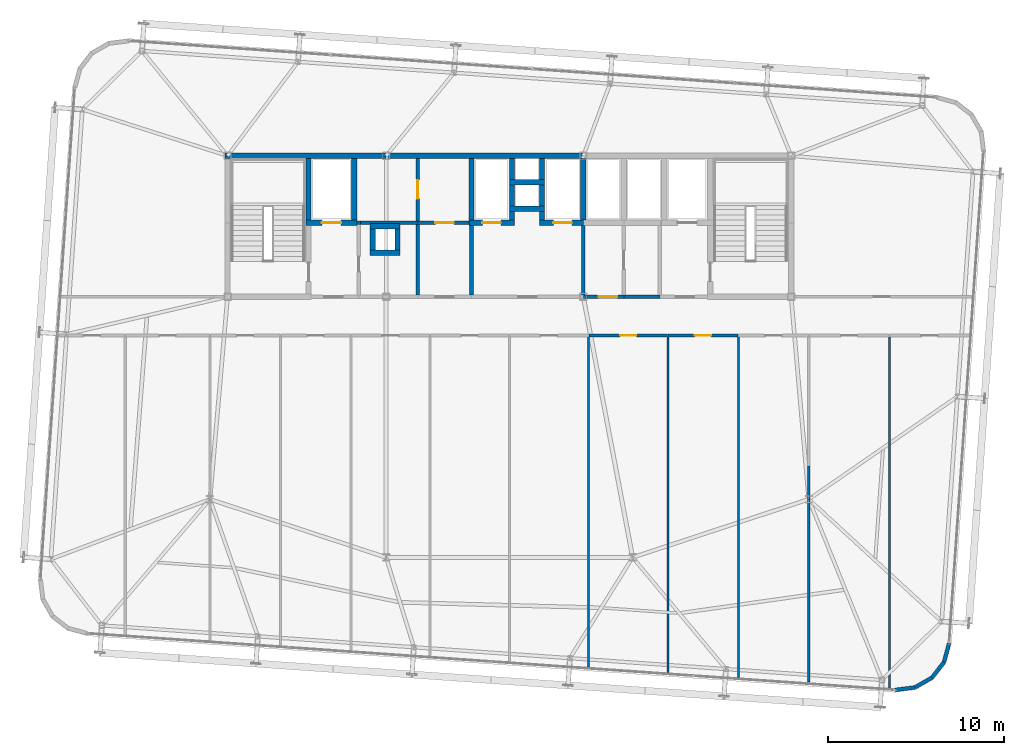
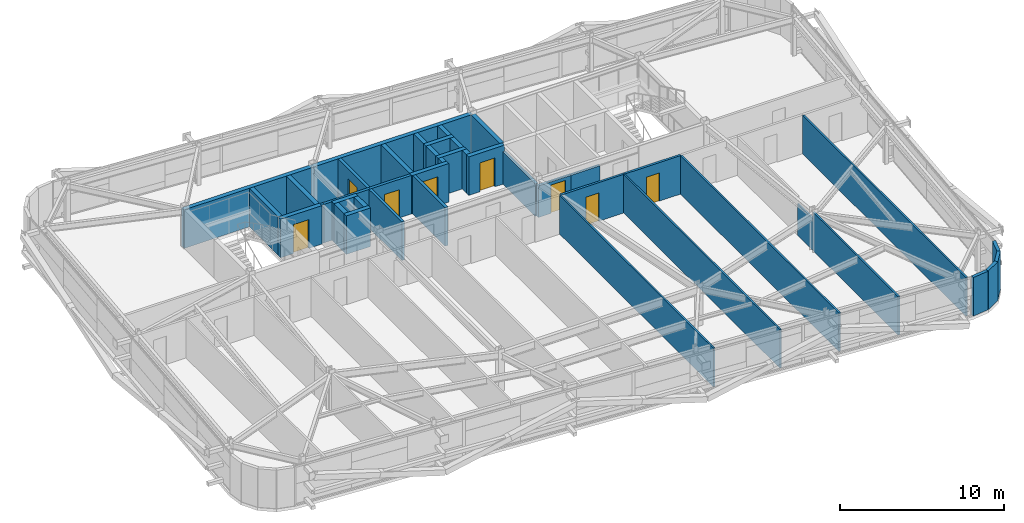
# One storey, part 36 of 39: 42 walls, 8 doors, 8 openings.
"""IFC4 building model written with IfcOpenShell, lengths in metres."""

import ifcopenshell
import ifcopenshell.guid

model = None  # the IFC model being written
_history = None  # IfcOwnerHistory: only IFC2X3 demands one
_inside = {}  # id of a spatial element -> (the spatial element, [elements in it])
_under = {}  # id of a project, library or spatial element -> (it, [spatial elements below it])
_declared = {}  # id of a project -> (the project, [libraries it declares])
_typed = {}  # id of a type object -> (the type object, [elements of that type])
_made_of = {}  # id of a material, layer set ... -> (it, [elements and type objects made of it])


def new_model(schema):
    """Start an empty IFC model of exactly this schema.

    Asked for "IFC4X3", IfcOpenShell would pick the latest addendum, in which some entities
    have other attributes; the version numbers below select the first issue.
    IFC2X3 requires an IfcOwnerHistory on every rooted entity: one is made here for all.
    """
    global model, _history
    if schema == "IFC4X3":
        model = ifcopenshell.file(schema_version=(4, 3, 0, 0))
    else:
        model = ifcopenshell.file(schema=schema)
    _inside.clear()
    _under.clear()
    _declared.clear()
    _typed.clear()
    _made_of.clear()
    _history = None
    if model.schema == "IFC2X3":
        org = make("IfcOrganization", Name="unknown")
        user = make(
            "IfcPersonAndOrganization",
            ThePerson=make("IfcPerson", FamilyName="unknown"),
            TheOrganization=org,
        )
        app = make(
            "IfcApplication",
            ApplicationDeveloper=org,
            Version="unknown",
            ApplicationFullName="unknown",
            ApplicationIdentifier="unknown",
        )
        _history = make(
            "IfcOwnerHistory",
            OwningUser=user,
            OwningApplication=app,
            ChangeAction="ADDED",
            CreationDate=0,
        )
    return model


def make(cls, **values):
    """One entity of the class cls with the attributes given. An attribute that is None is left unset."""
    return model.create_entity(
        cls, **{name: value for name, value in values.items() if value is not None}
    )


def rooted(cls, **values):
    """An entity with a GlobalId (a new one), such as an element, a storey or a relation."""
    return make(cls, GlobalId=ifcopenshell.guid.new(), OwnerHistory=_history, **values)


def si_unit(unit_type, name, prefix=None):
    """IfcSIUnit, for example si_unit("LENGTHUNIT", "METRE", prefix="MILLI")."""
    return make("IfcSIUnit", UnitType=unit_type, Prefix=prefix, Name=name)


def assignment(units):
    """IfcUnitAssignment: the units of a project."""
    return None if units is None else make("IfcUnitAssignment", Units=units)


def point(xyz):
    """IfcCartesianPoint."""
    return None if xyz is None else make("IfcCartesianPoint", Coordinates=xyz)


def direction(xyz):
    """IfcDirection."""
    return None if xyz is None else make("IfcDirection", DirectionRatios=xyz)


def frame(location, z_axis=None, x_axis=None):
    """IfcAxis2Placement3D, a coordinate frame: its origin and axes. An axis left out is left unset."""
    return make(
        "IfcAxis2Placement3D",
        Location=point(location),
        Axis=direction(z_axis),
        RefDirection=direction(x_axis),
    )


def frame_2d(location, x_axis=None):
    """IfcAxis2Placement2D, a coordinate frame in the plane: its origin and x axis."""
    return make(
        "IfcAxis2Placement2D", Location=point(location), RefDirection=direction(x_axis)
    )


def origin():
    """The frame at (0, 0, 0) with its axes left unset."""
    return frame((0.0, 0.0, 0.0))


def place(relative_to, where):
    """IfcLocalPlacement: puts the frame where relative to a parent placement (None: the world)."""
    return make(
        "IfcLocalPlacement", PlacementRelTo=relative_to, RelativePlacement=where
    )


def context(
    kind, dimensions, precision=None, world=None, true_north=None, identifier=None
):
    """IfcGeometricRepresentationContext, for example the 3D "Model" context."""
    return make(
        "IfcGeometricRepresentationContext",
        ContextIdentifier=identifier,
        ContextType=kind,
        CoordinateSpaceDimension=dimensions,
        Precision=precision,
        WorldCoordinateSystem=world,
        TrueNorth=true_north,
    )


def subcontext(parent, identifier, kind, view, scale=None):
    """IfcGeometricRepresentationSubContext, for example "Body" below "Model"."""
    return make(
        "IfcGeometricRepresentationSubContext",
        ContextIdentifier=identifier,
        ContextType=kind,
        ParentContext=parent,
        TargetScale=scale,
        TargetView=view,
    )


def project(units=None, contexts=None):
    """IfcProject with its units and contexts."""
    return rooted(
        "IfcProject",
        Name="project",
        RepresentationContexts=contexts,
        UnitsInContext=assignment(units),
    )


def spatial(cls, under=None, at=None, **own):
    """A site, building, storey or space (cls), placed at a placement, below another one or the project."""
    s = rooted(cls, ObjectPlacement=at, **own)
    if under is not None:
        _under.setdefault(under.id(), (under, []))[1].append(s)
    return s


def profile(cls, at=None, kind="AREA", **sizes):
    """A parametric profile (cls). Its sizes go by their IFC names, for example OverallWidth=200.0."""
    return make(cls, ProfileType=kind, Position=at, **sizes)


def rectangle(**sizes):
    """IfcRectangleProfileDef."""
    return profile("IfcRectangleProfileDef", **sizes)


def extrude(swept, where, along, depth):
    """IfcExtrudedAreaSolid: the profile swept, set in the frame where, extruded along a direction by depth."""
    return make(
        "IfcExtrudedAreaSolid",
        SweptArea=swept,
        Position=where,
        ExtrudedDirection=direction(along),
        Depth=depth,
    )


def shape(context_of_items, identifier, shape_type, items):
    """IfcShapeRepresentation: the items that make up one representation, for example the "Body"."""
    return make(
        "IfcShapeRepresentation",
        ContextOfItems=context_of_items,
        RepresentationIdentifier=identifier,
        RepresentationType=shape_type,
        Items=items,
    )


def source(mapping_origin, context_of_items, identifier, shape_type, items):
    """IfcRepresentationMap: a shape defined once, which mapped items show again and again."""
    return make(
        "IfcRepresentationMap",
        MappingOrigin=mapping_origin,
        MappedRepresentation=shape(context_of_items, identifier, shape_type, items),
    )


def transform(
    local_origin,
    x_axis=None,
    y_axis=None,
    z_axis=None,
    scale=None,
    scale2=None,
    scale3=None,
    uniform=True,
):
    """IfcCartesianTransformationOperator3D, or its non-uniform kind. x_axis, y_axis, z_axis: its Axis1, 2, 3."""
    if uniform:
        return make(
            "IfcCartesianTransformationOperator3D",
            Axis1=direction(x_axis),
            Axis2=direction(y_axis),
            LocalOrigin=point(local_origin),
            Scale=scale,
            Axis3=direction(z_axis),
        )
    return make(
        "IfcCartesianTransformationOperator3DnonUniform",
        Axis1=direction(x_axis),
        Axis2=direction(y_axis),
        LocalOrigin=point(local_origin),
        Scale=scale,
        Axis3=direction(z_axis),
        Scale2=scale2,
        Scale3=scale3,
    )


def mapped(mapping_source, mapping_target):
    """IfcMappedItem: shows the shape of a source again, moved by a transform."""
    return make(
        "IfcMappedItem", MappingSource=mapping_source, MappingTarget=mapping_target
    )


def material(Name=None, Category=None):
    """IfcMaterial."""
    return make("IfcMaterial", Name=Name, Category=Category)


def layer(
    of_material, thickness, ventilated=None, Name=None, Category=None, Priority=None
):
    """IfcMaterialLayer: one layer of a wall or slab, of a material (None: an air gap)."""
    return make(
        "IfcMaterialLayer",
        Material=of_material,
        LayerThickness=thickness,
        IsVentilated=ventilated,
        Name=Name,
        Category=Category,
        Priority=Priority,
    )


def layer_set(layers, Name=None):
    """IfcMaterialLayerSet."""
    return make("IfcMaterialLayerSet", MaterialLayers=layers, LayerSetName=Name)


def made_of(thing, what):
    """Note that an element or type object is made of a material, layer set ...; save() writes the relation."""
    if what is not None:
        _made_of.setdefault(what.id(), (what, []))[1].append(thing)
    return thing


def type_object(cls, material=None, **own):
    """A type object (cls), such as IfcWallType, which elements share."""
    return made_of(rooted(cls, **own), material)


def element(
    cls,
    number,
    at=None,
    inside=None,
    cuts=None,
    type_object=None,
    material=None,
    context=None,
    identifier="Body",
    shape_type=None,
    held_by="IfcProductDefinitionShape",
    body=None,
    shapes=None,
    **own,
):
    """One element of the class cls, such as IfcWall. Its Tag is "e" and its number.

    at: its placement. inside: the storey or other place that contains it. cuts: it is an
    opening in that element (IfcRelVoidsElement). A single representation is given by context,
    identifier, shape_type and body (its items); several are given by shapes. held_by: the class
    of the entity that holds the representations. save() writes the other relations.
    """
    e = rooted(cls, Tag="e%d" % number, ObjectPlacement=at, **own)
    if body is not None:
        shapes = [shape(context, identifier, shape_type, body)]
    if shapes is not None:
        e.Representation = make(held_by, Representations=shapes)
    if inside is not None:
        _inside.setdefault(inside.id(), (inside, []))[1].append(e)
    if cuts is not None:
        rooted(
            "IfcRelVoidsElement", RelatingBuildingElement=cuts, RelatedOpeningElement=e
        )
    if type_object is not None:
        _typed.setdefault(type_object.id(), (type_object, []))[1].append(e)
    return made_of(e, material)


def fill(opening, filler):
    """IfcRelFillsElement: the door or window that sits in an opening."""
    return rooted(
        "IfcRelFillsElement",
        RelatingOpeningElement=opening,
        RelatedBuildingElement=filler,
    )


def aggregate(whole, parts):
    """IfcRelAggregates: a whole, such as a stair, and the parts it consists of."""
    return rooted("IfcRelAggregates", RelatingObject=whole, RelatedObjects=parts)


def save(model, path):
    """Write the relations noted so far, then the file.

    IfcRelAggregates (storeys below a building ...), IfcRelContainedInSpatialStructure (elements
    in a storey), IfcRelDefinesByType, IfcRelAssociatesMaterial and IfcRelDeclares: one each for
    every whole, place, type object, material and project.
    """
    for whole, parts in _under.values():
        aggregate(whole, parts)
    for where, things in _inside.values():
        rooted(
            "IfcRelContainedInSpatialStructure",
            RelatedElements=things,
            RelatingStructure=where,
        )
    for kind, things in _typed.values():
        rooted("IfcRelDefinesByType", RelatedObjects=things, RelatingType=kind)
    for what, things in _made_of.values():
        rooted("IfcRelAssociatesMaterial", RelatedObjects=things, RelatingMaterial=what)
    for by, libraries in _declared.values():
        rooted("IfcRelDeclares", RelatingContext=by, RelatedDefinitions=libraries)
    model.write(path)


model = new_model("IFC4")

# Units and contexts
model_context = context("Model", 3, precision=1e-05, world=origin(), true_north=direction((0.0, 1.0)))
body_context = subcontext(model_context, "Body", "Model", "MODEL_VIEW")
ifc_project = project(units=[si_unit("LENGTHUNIT", "METRE"), si_unit("AREAUNIT", "SQUARE_METRE"), si_unit("VOLUMEUNIT", "CUBIC_METRE"), si_unit("PLANEANGLEUNIT", "RADIAN"), si_unit("MASSUNIT", "GRAM", prefix="KILO")], contexts=[model_context])

# Site, building, storey
site_placement = place(None, origin())
site = spatial("IfcSite", under=ifc_project, at=site_placement, CompositionType="ELEMENT")
building_placement = place(site_placement, origin())
building = spatial("IfcBuilding", under=site, at=building_placement, Name="Taldren Reach Tower", CompositionType="ELEMENT")
storey_placement = place(building_placement, frame((0.0, 0.0, 161.35009765625)))
storey = spatial("IfcBuildingStorey", under=building, at=storey_placement, Name="L49", CompositionType="ELEMENT", Elevation=161.35009765625)

# Walls
ifc_material_1 = material(Name="Pale Champagne Anodised Aluminium Cladding", Category="aluminium")
ifc_layer_1 = layer(ifc_material_1, 0.04, Name="Pale Champagne Anodised Aluminium Cladding", Category="aluminium")
ifc_material_2 = material(Name="Mineral Wool Acoustic Insulation", Category="insulation")
ifc_layer_2 = layer(ifc_material_2, 0.06, Name="Mineral Wool Acoustic Insulation", Category="insulation")
ifc_material_3 = material(Name="Steel Gr 350 (C350L0)", Category="steel")
ifc_layer_3 = layer(ifc_material_3, 0.12, Name="Steel Gr 350 (C350L0)", Category="steel")
ifc_layer_set_1 = layer_set([ifc_layer_1, ifc_layer_2, ifc_layer_3], Name="Pale Champagne Aluminium Cladding and Steel Gr 350 Stud Framing")
wall_type_1 = type_object("IfcWallType", Name="EW-CRN-220", PredefinedType="SOLIDWALL", material=ifc_layer_set_1)
shared_shape_1 = source(origin(), body_context, "Body", "SweptSolid", [
    extrude(rectangle(XDim=1.11572265625, YDim=0.219970703125, at=frame_2d((0.557861328125, 0.0))), origin(), (0.0, 0.0, 1.0), 2.869873046875),
])
wall_1_placement = place(storey_placement, frame((56.91796875, 1.6767578125, 0.0), z_axis=(0.0, 0.0, 1.0), x_axis=(0.99202678349, 0.126027222605, 0.0)))
element("IfcWall", 1, at=wall_1_placement, inside=storey, type_object=wall_type_1, Name="Rounded-corner pale-metal facade wall L49-SE1", PredefinedType="SOLIDWALL", context=body_context, shape_type="MappedRepresentation", body=[
    mapped(shared_shape_1, transform((0.0, 0.0, 0.0), scale=1.0)),
])
shared_shape_2 = source(origin(), body_context, "Body", "SweptSolid", [
    extrude(rectangle(XDim=1.115966796875, YDim=0.219970703125, at=frame_2d((0.55810546875, 0.0))), origin(), (0.0, 0.0, 1.0), 2.869873046875),
])
for number, where, z_axis, x_axis, name in (
    (2, (58.02490234375, 1.8173828125, 0.0), (0.0, 0.0, 1.0), (0.868095010314, 0.496398079235, 0.0), "Rounded-corner pale-metal facade wall L49-SE2"),
    (3, (58.99365234375, 2.371337890625, 0.0), (0.0, 0.0, 1.0), (0.612318787668, 0.790610967714, 0.0), "Rounded-corner pale-metal facade wall L49-SE3"),
    (4, (59.677001953125, 3.253662109375, 0.0), (0.0, 0.0, 1.0), (0.262969307856, 0.964804199372, 0.0), "Rounded-corner pale-metal facade wall L49-SE4"),
):
    element("IfcWall", number, at=place(storey_placement, frame(where, z_axis=z_axis, x_axis=x_axis)), inside=storey, type_object=wall_type_1, Name=name, PredefinedType="SOLIDWALL", context=body_context, shape_type="MappedRepresentation", body=[
        mapped(shared_shape_2, transform((0.0, 0.0, 0.0), scale=1.0)),
    ])
ifc_material_4 = material(Name="Concrete S65 (65 MPa)", Category="concrete")
ifc_layer_4 = layer(ifc_material_4, 0.300048828125)
ifc_layer_set_2 = layer_set([ifc_layer_4], Name="Concrete S65 (65 MPa)")
wall_type_2 = type_object("IfcWallType", Name="IW-CORE-300", PredefinedType="SHEAR", material=ifc_layer_set_2)
shared_shape_3 = source(origin(), body_context, "Body", "SweptSolid", [
    extrude(rectangle(XDim=9.14990234375, YDim=0.300048828125, at=frame_2d((4.574951171875, 0.0))), origin(), (0.0, 0.0, 1.0), 2.869873046875),
])
wall_2_placement = place(storey_placement, frame((18.85009765625, 32.0, 0.0), z_axis=(0.0, 0.0, 1.0), x_axis=(1.0, 0.0, 0.0)))
element("IfcWall", 5, at=wall_2_placement, inside=storey, type_object=wall_type_2, Name="Rear Core Shear Wall W-CORE-L49-NORTH1", PredefinedType="SHEAR", context=body_context, shape_type="MappedRepresentation", body=[
    mapped(shared_shape_3, transform((0.0, 0.0, 0.0), scale=1.0)),
])
shared_shape_4 = source(origin(), body_context, "Body", "SweptSolid", [
    extrude(rectangle(XDim=11.199951171875, YDim=0.300048828125, at=frame_2d((5.60009765625, 0.0))), origin(), (0.0, 0.0, 1.0), 2.869873046875),
])
wall_3_placement = place(storey_placement, frame((28.0, 32.0, 0.0), z_axis=(0.0, 0.0, 1.0), x_axis=(1.0, 0.0, 0.0)))
element("IfcWall", 6, at=wall_3_placement, inside=storey, type_object=wall_type_2, Name="Rear Core Shear Wall W-CORE-L49-NORTH2", PredefinedType="SHEAR", context=body_context, shape_type="MappedRepresentation", body=[
    mapped(shared_shape_4, transform((0.0, 0.0, 0.0), scale=1.0)),
])
shared_shape_5 = source(origin(), body_context, "Body", "SweptSolid", [
    extrude(rectangle(XDim=3.5, YDim=0.300048828125, at=frame_2d((1.75, 0.0))), origin(), (0.0, 0.0, 1.0), 2.869873046875),
])
for number, where, z_axis, x_axis, name in (
    (7, (23.60009765625, 28.35009765625, 0.0), (0.0, 0.0, 1.0), (0.0, 1.0, 0.0), "Rear Core Shear Wall W-INT-L49-001"),
    (8, (26.199951171875, 28.35009765625, 0.0), (0.0, 0.0, 1.0), (0.0, 1.0, 0.0), "Rear Core Shear Wall W-INT-L49-005"),
    (9, (32.85009765625, 31.85009765625, 0.0), (0.0, 0.0, 1.0), (0.0, -1.0, 0.0), "Rear Core Shear Wall W-INT-L49-027"),
    (10, (39.199951171875, 28.35009765625, 0.0), (0.0, 0.0, 1.0), (0.0, 1.0, 0.0), "Rear Core Shear Wall W-INT-L49-030"),
):
    element("IfcWall", number, at=place(storey_placement, frame(where, z_axis=z_axis, x_axis=x_axis)), inside=storey, type_object=wall_type_2, Name=name, PredefinedType="SHEAR", context=body_context, shape_type="MappedRepresentation", body=[
        mapped(shared_shape_5, transform((0.0, 0.0, 0.0), scale=1.0)),
    ])

# Wall, opening, door
shared_shape_6 = source(origin(), body_context, "Body", "SweptSolid", [
    extrude(rectangle(XDim=2.900146484375, YDim=0.300048828125, at=frame_2d((1.4501953125, 0.0))), origin(), (0.0, 0.0, 1.0), 2.869873046875),
])
wall_4_placement = place(storey_placement, frame((23.449951171875, 28.199951171875, 0.0), z_axis=(0.0, 0.0, 1.0), x_axis=(1.0, 0.0, 0.0)))
wall_4 = element("IfcWall", 11, at=wall_4_placement, inside=storey, type_object=wall_type_2, Name="Rear Core Shear Wall W-INT-L49-004", PredefinedType="SHEAR", context=body_context, shape_type="MappedRepresentation", body=[
    mapped(shared_shape_6, transform((0.0, 0.0, 0.0), scale=1.0)),
])
shared_shape_7 = source(origin(), body_context, "Body", "SweptSolid", [
    extrude(rectangle(XDim=1.10009765625, YDim=2.14990234375, at=frame_2d((0.550048828125, 1.074951171875))), frame((0.0, 0.16015625, 0.0), z_axis=(0.0, -1.0, 0.0), x_axis=(1.0, 0.0, 0.0)), (0.0, 0.0, 1.0), 0.320068359375),
])
opening_1_placement = place(wall_4_placement, frame((0.89990234375, 0.0, 0.0)))
opening_1 = element("IfcOpeningElement", 12, at=opening_1_placement, cuts=wall_4, Name="Opening LD-FL1", PredefinedType="OPENING", context=body_context, shape_type="MappedRepresentation", body=[
    mapped(shared_shape_7, transform((0.0, 0.0, 0.0), scale=1.0)),
])
ifc_material_5 = material(Name="Stainless Steel Gr 316 Emergency Lift Landing Door", Category="steel")
door_type_1 = type_object("IfcDoorType", Name="LD-EMG-110", OperationType="SLIDING_TO_LEFT", PredefinedType="DOOR", material=ifc_material_5)
shared_shape_8 = source(origin(), body_context, "Body", "SweptSolid", [
    extrude(rectangle(XDim=1.10009765625, YDim=2.14990234375, at=frame_2d((0.550048828125, 1.074951171875))), frame((0.0, 0.02490234375, 0.0), z_axis=(0.0, -1.0, 0.0), x_axis=(1.0, 0.0, 0.0)), (0.0, 0.0, 1.0), 0.050048828125),
])
door_1_placement = place(opening_1_placement, origin())
door_1 = element("IfcDoor", 13, at=door_1_placement, inside=storey, type_object=door_type_1, Name="Lift Landing Door LD-FL1-L49", OperationType="SLIDING_TO_LEFT", OverallHeight=2.14990234375, OverallWidth=1.10009765625, PredefinedType="DOOR", context=body_context, shape_type="MappedRepresentation", body=[
    mapped(shared_shape_8, transform((0.0, 0.0, 0.0), scale=1.0)),
])
fill(opening_1, door_1)

# Walls
ifc_material_6 = material(Name="Concrete S50 (50 MPa)", Category="concrete")
ifc_layer_5 = layer(ifc_material_6, 0.199951171875)
ifc_layer_set_3 = layer_set([ifc_layer_5], Name="Concrete S50 (50 MPa)")
wall_type_3 = type_object("IfcWallType", Name="IW-CORE-200", PredefinedType="SOLIDWALL", material=ifc_layer_set_3)
shared_shape_9 = source(origin(), body_context, "Body", "SweptSolid", [
    extrude(rectangle(XDim=4.0, YDim=0.199951171875, at=frame_2d((2.0, 0.0))), origin(), (0.0, 0.0, 1.0), 2.869873046875),
])
wall_5_placement = place(storey_placement, frame((29.800048828125, 28.10009765625, 0.0), z_axis=(0.0, 0.0, 1.0), x_axis=(0.0, -1.0, 0.0)))
element("IfcWall", 14, at=wall_5_placement, inside=storey, type_object=wall_type_3, Name="Rear Core Shear Wall W-INT-L49-037", PredefinedType="SOLIDWALL", context=body_context, shape_type="MappedRepresentation", body=[
    mapped(shared_shape_9, transform((0.0, 0.0, 0.0), scale=1.0)),
])
shared_shape_10 = source(origin(), body_context, "Body", "SweptSolid", [
    extrude(rectangle(XDim=3.949951171875, YDim=0.199951171875, at=frame_2d((1.97509765625, 0.0))), origin(), (0.0, 0.0, 1.0), 2.869873046875),
])
wall_6_placement = place(storey_placement, frame((32.85009765625, 24.10009765625, 0.0), z_axis=(0.0, 0.0, 1.0), x_axis=(0.0, 1.0, 0.0)))
element("IfcWall", 15, at=wall_6_placement, inside=storey, type_object=wall_type_3, Name="Rear Core Shear Wall W-INT-L49-031", PredefinedType="SOLIDWALL", context=body_context, shape_type="MappedRepresentation", body=[
    mapped(shared_shape_10, transform((0.0, 0.0, 0.0), scale=1.0)),
])
shared_shape_11 = source(origin(), body_context, "Body", "SweptSolid", [
    extrude(rectangle(XDim=2.0, YDim=0.300048828125, at=frame_2d((1.0, 0.0))), origin(), (0.0, 0.0, 1.0), 2.869873046875),
])
for number, where, z_axis, x_axis, name in (
    (16, (35.0, 30.5, 0.0), (0.0, 0.0, 1.0), (1.0, 0.0, 0.0), "Rear Core Shear Wall W-INT-L49-015"),
    (17, (35.0, 29.0, 0.0), (0.0, 0.0, 1.0), (1.0, 0.0, 0.0), "Rear Core Shear Wall W-INT-L49-020"),
):
    element("IfcWall", number, at=place(storey_placement, frame(where, z_axis=z_axis, x_axis=x_axis)), inside=storey, type_object=wall_type_2, Name=name, PredefinedType="SHEAR", context=body_context, shape_type="MappedRepresentation", body=[
        mapped(shared_shape_11, transform((0.0, 0.0, 0.0), scale=1.0)),
    ])
shared_shape_12 = source(origin(), body_context, "Body", "SweptSolid", [
    extrude(rectangle(XDim=1.2001953125, YDim=0.300048828125, at=frame_2d((0.60009765625, 0.0))), origin(), (0.0, 0.0, 1.0), 2.869873046875),
])
for number, where, z_axis, x_axis, name in (
    (18, (35.14990234375, 31.85009765625, 0.0), (0.0, 0.0, 1.0), (0.0, -1.0, 0.0), "Rear Core Shear Wall W-INT-L49-016"),
    (19, (36.85009765625, 30.64990234375, 0.0), (0.0, 0.0, 1.0), (0.0, 1.0, 0.0), "Rear Core Shear Wall W-INT-L49-017"),
    (20, (35.14990234375, 30.35009765625, 0.0), (0.0, 0.0, 1.0), (0.0, -1.0, 0.0), "Rear Core Shear Wall W-INT-L49-018"),
    (21, (36.85009765625, 29.14990234375, 0.0), (0.0, 0.0, 1.0), (0.0, 1.0, 0.0), "Rear Core Shear Wall W-INT-L49-019"),
    (22, (28.64990234375, 26.64990234375, 0.0), (0.0, 0.0, 1.0), (0.0, 1.0, 0.0), "Rear Core Shear Wall W-INT-L49-021"),
    (23, (27.25, 27.85009765625, 0.0), (0.0, 0.0, 1.0), (0.0, -1.0, 0.0), "Rear Core Shear Wall W-INT-L49-022"),
):
    element("IfcWall", number, at=place(storey_placement, frame(where, z_axis=z_axis, x_axis=x_axis)), inside=storey, type_object=wall_type_2, Name=name, PredefinedType="SHEAR", context=body_context, shape_type="MappedRepresentation", body=[
        mapped(shared_shape_12, transform((0.0, 0.0, 0.0), scale=1.0)),
    ])
shared_shape_13 = source(origin(), body_context, "Body", "SweptSolid", [
    extrude(rectangle(XDim=1.699951171875, YDim=0.300048828125, at=frame_2d((0.85009765625, 0.0))), origin(), (0.0, 0.0, 1.0), 2.869873046875),
])
for number, where, z_axis, x_axis, name in (
    (24, (28.800048828125, 28.0, 0.0), (0.0, 0.0, 1.0), (-1.0, 0.0, 0.0), "Rear Core Shear Wall W-INT-L49-023"),
    (25, (27.10009765625, 26.5, 0.0), (0.0, 0.0, 1.0), (1.0, 0.0, 0.0), "Rear Core Shear Wall W-INT-L49-024"),
):
    element("IfcWall", number, at=place(storey_placement, frame(where, z_axis=z_axis, x_axis=x_axis)), inside=storey, type_object=wall_type_2, Name=name, PredefinedType="SHEAR", context=body_context, shape_type="MappedRepresentation", body=[
        mapped(shared_shape_13, transform((0.0, 0.0, 0.0), scale=1.0)),
    ])

# Wall, opening, door
shared_shape_14 = source(origin(), body_context, "Body", "SweptSolid", [
    extrude(rectangle(XDim=2.60009765625, YDim=0.300048828125, at=frame_2d((1.300048828125, 0.0))), origin(), (0.0, 0.0, 1.0), 2.869873046875),
])
wall_7_placement = place(storey_placement, frame((32.699951171875, 28.199951171875, 0.0), z_axis=(0.0, 0.0, 1.0), x_axis=(1.0, 0.0, 0.0)))
wall_7 = element("IfcWall", 26, at=wall_7_placement, inside=storey, type_object=wall_type_2, Name="Rear Core Shear Wall W-INT-L49-025", PredefinedType="SHEAR", context=body_context, shape_type="MappedRepresentation", body=[
    mapped(shared_shape_14, transform((0.0, 0.0, 0.0), scale=1.0)),
])
shared_shape_15 = source(origin(), body_context, "Body", "SweptSolid", [
    extrude(rectangle(XDim=1.050048828125, YDim=2.14990234375, at=frame_2d((0.52490234375, 1.074951171875))), frame((0.0, 0.16015625, 0.0), z_axis=(0.0, -1.0, 0.0), x_axis=(1.0, 0.0, 0.0)), (0.0, 0.0, 1.0), 0.320068359375),
])
opening_2_placement = place(wall_7_placement, frame((0.77490234375, 0.0, 0.0)))
opening_2 = element("IfcOpeningElement", 27, at=opening_2_placement, cuts=wall_7, Name="Opening LD-PM1", PredefinedType="OPENING", context=body_context, shape_type="MappedRepresentation", body=[
    mapped(shared_shape_15, transform((0.0, 0.0, 0.0), scale=1.0)),
])
ifc_material_7 = material(Name="Stainless Steel Gr 316 Passenger Lift Landing Door", Category="steel")
door_type_2 = type_object("IfcDoorType", Name="LD-PAS-105", OperationType="SLIDING_TO_LEFT", PredefinedType="DOOR", material=ifc_material_7)
shared_shape_16 = source(origin(), body_context, "Body", "SweptSolid", [
    extrude(rectangle(XDim=1.050048828125, YDim=2.14990234375, at=frame_2d((0.52490234375, 1.074951171875))), frame((0.0, 0.02490234375, 0.0), z_axis=(0.0, -1.0, 0.0), x_axis=(1.0, 0.0, 0.0)), (0.0, 0.0, 1.0), 0.050048828125),
])
door_2_placement = place(opening_2_placement, origin())
door_2 = element("IfcDoor", 28, at=door_2_placement, inside=storey, type_object=door_type_2, Name="Lift Landing Door LD-PM1-L49", OperationType="SLIDING_TO_LEFT", OverallHeight=2.14990234375, OverallWidth=1.050048828125, PredefinedType="DOOR", context=body_context, shape_type="MappedRepresentation", body=[
    mapped(shared_shape_16, transform((0.0, 0.0, 0.0), scale=1.0)),
])
fill(opening_2, door_2)

# Walls
shared_shape_17 = source(origin(), body_context, "Body", "SweptSolid", [
    extrude(rectangle(XDim=0.5, YDim=0.300048828125, at=frame_2d((0.25, 0.0))), origin(), (0.0, 0.0, 1.0), 2.869873046875),
])
for number, where, z_axis, x_axis, name in (
    (29, (35.14990234375, 28.35009765625, 0.0), (0.0, 0.0, 1.0), (0.0, 1.0, 0.0), "Rear Core Shear Wall W-INT-L49-026"),
    (30, (36.85009765625, 28.85009765625, 0.0), (0.0, 0.0, 1.0), (0.0, -1.0, 0.0), "Rear Core Shear Wall W-INT-L49-029"),
):
    element("IfcWall", number, at=place(storey_placement, frame(where, z_axis=z_axis, x_axis=x_axis)), inside=storey, type_object=wall_type_2, Name=name, PredefinedType="SHEAR", context=body_context, shape_type="MappedRepresentation", body=[
        mapped(shared_shape_17, transform((0.0, 0.0, 0.0), scale=1.0)),
    ])

# Wall, opening, door
shared_shape_18 = source(origin(), body_context, "Body", "SweptSolid", [
    extrude(rectangle(XDim=2.5, YDim=0.300048828125, at=frame_2d((1.25, 0.0))), origin(), (0.0, 0.0, 1.0), 2.869873046875),
])
wall_8_placement = place(storey_placement, frame((36.699951171875, 28.199951171875, 0.0), z_axis=(0.0, 0.0, 1.0), x_axis=(1.0, 0.0, 0.0)))
wall_8 = element("IfcWall", 31, at=wall_8_placement, inside=storey, type_object=wall_type_2, Name="Rear Core Shear Wall W-INT-L49-028", PredefinedType="SHEAR", context=body_context, shape_type="MappedRepresentation", body=[
    mapped(shared_shape_18, transform((0.0, 0.0, 0.0), scale=1.0)),
])
opening_3_placement = place(wall_8_placement, frame((0.794921875, 0.0, 0.0)))
opening_3 = element("IfcOpeningElement", 32, at=opening_3_placement, cuts=wall_8, Name="Opening LD-PM2", PredefinedType="OPENING", context=body_context, shape_type="MappedRepresentation", body=[
    mapped(shared_shape_15, transform((0.0, 0.0, 0.0), scale=1.0)),
])
door_3_placement = place(opening_3_placement, origin())
door_3 = element("IfcDoor", 33, at=door_3_placement, inside=storey, type_object=door_type_2, Name="Lift Landing Door LD-PM2-L49", OperationType="SLIDING_TO_LEFT", OverallHeight=2.14990234375, OverallWidth=1.050048828125, PredefinedType="DOOR", context=body_context, shape_type="MappedRepresentation", body=[
    mapped(shared_shape_16, transform((0.0, 0.0, 0.0), scale=1.0)),
])
fill(opening_3, door_3)

# Walls
shared_shape_19 = source(origin(), body_context, "Body", "SweptSolid", [
    extrude(rectangle(XDim=3.949951171875, YDim=0.199951171875, at=frame_2d((1.97509765625, 0.0))), origin(), (0.0, 0.0, 1.0), 2.409912109375),
])
wall_9_placement = place(storey_placement, frame((39.199951171875, 28.050048828125, 0.0), z_axis=(0.0, 0.0, 1.0), x_axis=(0.0, -1.0, 0.0)))
element("IfcWall", 34, at=wall_9_placement, inside=storey, type_object=wall_type_3, Name="Rear Core Shear Wall W-INT-L49-032", PredefinedType="SOLIDWALL", context=body_context, shape_type="MappedRepresentation", body=[
    mapped(shared_shape_19, transform((0.0, 0.0, 0.0), scale=1.0)),
])
shared_shape_20 = source(origin(), body_context, "Body", "SweptSolid", [
    extrude(rectangle(XDim=3.35009765625, YDim=0.199951171875, at=frame_2d((1.675048828125, 0.0))), origin(), (0.0, 0.0, 1.0), 2.869873046875),
])
wall_10_placement = place(storey_placement, frame((26.449951171875, 28.199951171875, 0.0), z_axis=(0.0, 0.0, 1.0), x_axis=(1.0, 0.0, 0.0)))
element("IfcWall", 35, at=wall_10_placement, inside=storey, type_object=wall_type_3, Name="Rear Core Shear Wall W-INT-L49-038", PredefinedType="SOLIDWALL", context=body_context, shape_type="MappedRepresentation", body=[
    mapped(shared_shape_20, transform((0.0, 0.0, 0.0), scale=1.0)),
])

# Wall, opening, door
shared_shape_21 = source(origin(), body_context, "Body", "SweptSolid", [
    extrude(rectangle(XDim=2.89990234375, YDim=0.199951171875, at=frame_2d((1.449951171875, 0.0))), origin(), (0.0, 0.0, 1.0), 2.869873046875),
])
wall_11_placement = place(storey_placement, frame((29.800048828125, 28.199951171875, 0.0), z_axis=(0.0, 0.0, 1.0), x_axis=(1.0, 0.0, 0.0)))
wall_11 = element("IfcWall", 36, at=wall_11_placement, inside=storey, type_object=wall_type_3, Name="Rear Core Shear Wall W-INT-L49-040", PredefinedType="SOLIDWALL", context=body_context, shape_type="MappedRepresentation", body=[
    mapped(shared_shape_21, transform((0.0, 0.0, 0.0), scale=1.0)),
])
shared_shape_22 = source(origin(), body_context, "Body", "SweptSolid", [
    extrude(rectangle(XDim=1.050048828125, YDim=2.10009765625, at=frame_2d((0.52490234375, 1.050048828125))), frame((0.0, 0.10986328125, 0.0), z_axis=(0.0, -1.0, 0.0), x_axis=(1.0, 0.0, 0.0)), (0.0, 0.0, 1.0), 0.219970703125),
])
opening_4_placement = place(wall_11_placement, frame((1.0, 0.0, 0.0)))
opening_4 = element("IfcOpeningElement", 37, at=opening_4_placement, cuts=wall_11, Name="Opening DF-105", PredefinedType="OPENING", context=body_context, shape_type="MappedRepresentation", body=[
    mapped(shared_shape_22, transform((0.0, 0.0, 0.0), scale=1.0)),
])
ifc_material_8 = material(Name="Fire-Rated Care and Stair Exit Door")
door_type_3 = type_object("IfcDoorType", Name="ID-FIRE-105", OperationType="NOTDEFINED", PredefinedType="DOOR", material=ifc_material_8)
shared_shape_23 = source(origin(), body_context, "Body", "SweptSolid", [
    extrude(rectangle(XDim=1.050048828125, YDim=2.10009765625, at=frame_2d((0.52490234375, 1.050048828125))), frame((0.0, 0.02490234375, 0.0), z_axis=(0.0, -1.0, 0.0), x_axis=(1.0, 0.0, 0.0)), (0.0, 0.0, 1.0), 0.050048828125),
])
door_4_placement = place(opening_4_placement, origin())
door_4 = element("IfcDoor", 38, at=door_4_placement, inside=storey, type_object=door_type_3, Name="Interior Door DR-L49-006", OperationType="SINGLE_SWING_LEFT", OverallHeight=2.10009765625, OverallWidth=1.050048828125, PredefinedType="DOOR", context=body_context, shape_type="MappedRepresentation", body=[
    mapped(shared_shape_23, transform((0.0, 0.0, 0.0), scale=1.0)),
])
fill(opening_4, door_4)

shared_shape_24 = source(origin(), body_context, "Body", "SweptSolid", [
    extrude(rectangle(XDim=3.550048828125, YDim=0.199951171875, at=frame_2d((1.77490234375, 0.0))), origin(), (0.0, 0.0, 1.0), 2.869873046875),
])
wall_12_placement = place(storey_placement, frame((29.800048828125, 31.85009765625, 0.0), z_axis=(0.0, 0.0, 1.0), x_axis=(0.0, -1.0, 0.0)))
wall_12 = element("IfcWall", 39, at=wall_12_placement, inside=storey, type_object=wall_type_3, Name="Rear Core Shear Wall W-INT-L49-042", PredefinedType="SOLIDWALL", context=body_context, shape_type="MappedRepresentation", body=[
    mapped(shared_shape_24, transform((0.0, 0.0, 0.0), scale=1.0)),
])
opening_5_placement = place(wall_12_placement, frame((1.22509765625, 0.0, 0.0)))
opening_5 = element("IfcOpeningElement", 40, at=opening_5_placement, cuts=wall_12, Name="Opening DF-105", PredefinedType="OPENING", context=body_context, shape_type="MappedRepresentation", body=[
    mapped(shared_shape_22, transform((0.0, 0.0, 0.0), scale=1.0)),
])
door_5_placement = place(opening_5_placement, frame((1.050048828125, 0.0, 0.0), z_axis=(0.0, 0.0, 1.0), x_axis=(-1.0, 0.0, 0.0)))
door_5 = element("IfcDoor", 41, at=door_5_placement, inside=storey, type_object=door_type_3, Name="Interior Door DR-L49-008", OperationType="SINGLE_SWING_RIGHT", OverallHeight=2.10009765625, OverallWidth=1.050048828125, PredefinedType="DOOR", context=body_context, shape_type="MappedRepresentation", body=[
    mapped(shared_shape_23, transform((0.0, 0.0, 0.0), scale=1.0)),
])
fill(opening_5, door_5)

shared_shape_25 = source(origin(), body_context, "Body", "SweptSolid", [
    extrude(rectangle(XDim=2.300048828125, YDim=0.199951171875, at=frame_2d((1.14990234375, 0.0))), origin(), (0.0, 0.0, 1.0), 2.3369140625),
])
wall_13_placement = place(storey_placement, frame((41.5, 24.0, 0.0), z_axis=(0.0, 0.0, 1.0), x_axis=(-1.0, 0.0, 0.0)))
wall_13 = element("IfcWall", 42, at=wall_13_placement, inside=storey, type_object=wall_type_3, Name="Rear Core Shear Wall W-INT-L49-044", PredefinedType="SOLIDWALL", context=body_context, shape_type="MappedRepresentation", body=[
    mapped(shared_shape_25, transform((0.0, 0.0, 0.0), scale=1.0)),
])
opening_6_placement = place(wall_13_placement, frame((0.375, 0.0, 0.0)))
opening_6 = element("IfcOpeningElement", 43, at=opening_6_placement, cuts=wall_13, Name="Opening DF-105", PredefinedType="OPENING", context=body_context, shape_type="MappedRepresentation", body=[
    mapped(shared_shape_22, transform((0.0, 0.0, 0.0), scale=1.0)),
])
door_6_placement = place(opening_6_placement, frame((1.050048828125, 0.0, 0.0), z_axis=(0.0, 0.0, 1.0), x_axis=(-1.0, 0.0, 0.0)))
door_6 = element("IfcDoor", 44, at=door_6_placement, inside=storey, type_object=door_type_3, Name="Interior Door DR-L49-010", OperationType="SINGLE_SWING_RIGHT", OverallHeight=2.10009765625, OverallWidth=1.050048828125, PredefinedType="DOOR", context=body_context, shape_type="MappedRepresentation", body=[
    mapped(shared_shape_23, transform((0.0, 0.0, 0.0), scale=1.0)),
])
fill(opening_6, door_6)

# Wall
shared_shape_26 = source(origin(), body_context, "Body", "SweptSolid", [
    extrude(rectangle(XDim=2.050048828125, YDim=0.199951171875, at=frame_2d((1.02490234375, 0.0))), origin(), (0.0, 0.0, 1.0), 2.3369140625),
])
wall_14_placement = place(storey_placement, frame((43.550048828125, 24.0, 0.0), z_axis=(0.0, 0.0, 1.0), x_axis=(-1.0, 0.0, 0.0)))
element("IfcWall", 45, at=wall_14_placement, inside=storey, type_object=wall_type_3, Name="Rear Core Shear Wall W-INT-L49-045", PredefinedType="SOLIDWALL", context=body_context, shape_type="MappedRepresentation", body=[
    mapped(shared_shape_26, transform((0.0, 0.0, 0.0), scale=1.0)),
])

# Wall, opening, door
ifc_material_9 = material(Name="Fire-Rated Acoustic Plasterboard Stud Wall", Category="gypsum")
ifc_layer_6 = layer(ifc_material_9, 0.159912109375)
ifc_layer_set_4 = layer_set([ifc_layer_6], Name="Fire-Rated Acoustic Plasterboard Stud Wall")
wall_type_4 = type_object("IfcWallType", Name="IW-FIRE-160", PredefinedType="PARTITIONING", material=ifc_layer_set_4)
shared_shape_27 = source(origin(), body_context, "Body", "SweptSolid", [
    extrude(rectangle(XDim=3.95947265625, YDim=0.159912109375, at=frame_2d((1.979736328125, 0.0))), origin(), (0.0, 0.0, 1.0), 2.869873046875),
])
wall_15_placement = place(storey_placement, frame((47.979736328125, 21.800048828125, 0.0), z_axis=(0.0, 0.0, 1.0), x_axis=(-1.0, 0.0, 0.0)))
wall_15 = element("IfcWall", 46, at=wall_15_placement, inside=storey, type_object=wall_type_4, Name="Interior Partition Wall W-INT-L49-054", PredefinedType="PARTITIONING", context=body_context, shape_type="MappedRepresentation", body=[
    mapped(shared_shape_27, transform((0.0, 0.0, 0.0), scale=1.0)),
])
shared_shape_28 = source(origin(), body_context, "Body", "SweptSolid", [
    extrude(rectangle(XDim=0.919921875, YDim=2.10009765625, at=frame_2d((0.4599609375, 1.050048828125))), frame((0.0, 0.08984375, 0.0), z_axis=(0.0, -1.0, 0.0), x_axis=(1.0, 0.0, 0.0)), (0.0, 0.0, 1.0), 0.179931640625),
])
opening_7_placement = place(wall_15_placement, frame((1.519775390625, 0.0, 0.0)))
opening_7 = element("IfcOpeningElement", 47, at=opening_7_placement, cuts=wall_15, Name="Opening DI-092", PredefinedType="OPENING", context=body_context, shape_type="MappedRepresentation", body=[
    mapped(shared_shape_28, transform((0.0, 0.0, 0.0), scale=1.0)),
])
ifc_material_10 = material(Name="Solid-Core Timber Suite Door", Category="wood")
door_type_4 = type_object("IfcDoorType", Name="ID-INT-092", OperationType="NOTDEFINED", PredefinedType="DOOR", material=ifc_material_10)
shared_shape_29 = source(origin(), body_context, "Body", "SweptSolid", [
    extrude(rectangle(XDim=0.919921875, YDim=2.10009765625, at=frame_2d((0.4599609375, 1.050048828125))), frame((0.0, 0.02490234375, 0.0), z_axis=(0.0, -1.0, 0.0), x_axis=(1.0, 0.0, 0.0)), (0.0, 0.0, 1.0), 0.050048828125),
])
door_7_placement = place(opening_7_placement, origin())
door_7 = element("IfcDoor", 48, at=door_7_placement, inside=storey, type_object=door_type_4, Name="Interior Door DR-L49-019", OperationType="SINGLE_SWING_RIGHT", OverallHeight=2.10009765625, OverallWidth=0.919921875, PredefinedType="DOOR", context=body_context, shape_type="MappedRepresentation", body=[
    mapped(shared_shape_29, transform((0.0, 0.0, 0.0), scale=1.0)),
])
fill(opening_7, door_7)

shared_shape_30 = source(origin(), body_context, "Body", "SweptSolid", [
    extrude(rectangle(XDim=4.45947265625, YDim=0.159912109375, at=frame_2d((2.229736328125, 0.0))), origin(), (0.0, 0.0, 1.0), 2.869873046875),
])
wall_16_placement = place(storey_placement, frame((43.979736328125, 21.800048828125, 0.0), z_axis=(0.0, 0.0, 1.0), x_axis=(-1.0, 0.0, 0.0)))
wall_16 = element("IfcWall", 49, at=wall_16_placement, inside=storey, type_object=wall_type_4, Name="Interior Partition Wall W-INT-L49-053", PredefinedType="PARTITIONING", context=body_context, shape_type="MappedRepresentation", body=[
    mapped(shared_shape_30, transform((0.0, 0.0, 0.0), scale=1.0)),
])
opening_8_placement = place(wall_16_placement, frame((1.769775390625, 0.0, 0.0)))
opening_8 = element("IfcOpeningElement", 50, at=opening_8_placement, cuts=wall_16, Name="Opening DI-092", PredefinedType="OPENING", context=body_context, shape_type="MappedRepresentation", body=[
    mapped(shared_shape_28, transform((0.0, 0.0, 0.0), scale=1.0)),
])
door_8_placement = place(opening_8_placement, origin())
door_8 = element("IfcDoor", 51, at=door_8_placement, inside=storey, type_object=door_type_4, Name="Interior Door DR-L49-018", OperationType="SINGLE_SWING_LEFT", OverallHeight=2.10009765625, OverallWidth=0.919921875, PredefinedType="DOOR", context=body_context, shape_type="MappedRepresentation", body=[
    mapped(shared_shape_29, transform((0.0, 0.0, 0.0), scale=1.0)),
])
fill(opening_8, door_8)

# Walls
ifc_material_11 = material(Name="Insulated Residential Stud Partition", Category="gypsum")
ifc_layer_7 = layer(ifc_material_11, 0.1201171875)
ifc_layer_set_5 = layer_set([ifc_layer_7], Name="Insulated Residential Stud Partition")
wall_type_5 = type_object("IfcWallType", Name="IW-PART-120", PredefinedType="PARTITIONING", material=ifc_layer_set_5)
shared_shape_31 = source(origin(), body_context, "Body", "SweptSolid", [
    extrude(rectangle(XDim=1.9013671875, YDim=0.1201171875, at=frame_2d((0.95068359375, 0.0))), origin(), (0.0, 0.0, 1.0), 2.3369140625),
])
wall_17_placement = place(storey_placement, frame((52.0, 14.396240234375, 0.0), z_axis=(0.0, 0.0, 1.0), x_axis=(0.0, -1.0, 0.0)))
element("IfcWall", 52, at=wall_17_placement, inside=storey, type_object=wall_type_5, Name="Interior Partition Wall W-INT-L49-069 part 2", PredefinedType="PARTITIONING", context=body_context, shape_type="MappedRepresentation", body=[
    mapped(shared_shape_31, transform((0.0, 0.0, 0.0), scale=1.0)),
])
shared_shape_32 = source(origin(), body_context, "Body", "SweptSolid", [
    extrude(rectangle(XDim=18.7294921875, YDim=0.1201171875, at=frame_2d((9.36474609375, 0.0))), origin(), (0.0, 0.0, 1.0), 2.869873046875),
])
wall_18_placement = place(storey_placement, frame((39.5, 21.719970703125, 0.0), z_axis=(0.0, 0.0, 1.0), x_axis=(0.0, -1.0, 0.0)))
element("IfcWall", 53, at=wall_18_placement, inside=storey, type_object=wall_type_5, Name="Interior Partition Wall W-INT-L49-066", PredefinedType="PARTITIONING", context=body_context, shape_type="MappedRepresentation", body=[
    mapped(shared_shape_32, transform((0.0, 0.0, 0.0), scale=1.0)),
])
shared_shape_33 = source(origin(), body_context, "Body", "SweptSolid", [
    extrude(rectangle(XDim=19.040283203125, YDim=0.1201171875, at=frame_2d((9.52001953125, 0.0))), origin(), (0.0, 0.0, 1.0), 2.869873046875),
])
wall_19_placement = place(storey_placement, frame((44.0, 21.718017578125, 0.0), z_axis=(0.0, 0.0, 1.0), x_axis=(0.0, -1.0, 0.0)))
element("IfcWall", 54, at=wall_19_placement, inside=storey, type_object=wall_type_5, Name="Interior Partition Wall W-INT-L49-067", PredefinedType="PARTITIONING", context=body_context, shape_type="MappedRepresentation", body=[
    mapped(shared_shape_33, transform((0.0, 0.0, 0.0), scale=1.0)),
])
shared_shape_34 = source(origin(), body_context, "Body", "SweptSolid", [
    extrude(rectangle(XDim=19.323974609375, YDim=0.1201171875, at=frame_2d((9.662109375, 0.0))), origin(), (0.0, 0.0, 1.0), 2.869873046875),
])
wall_20_placement = place(storey_placement, frame((48.0, 21.719970703125, 0.0), z_axis=(0.0, 0.0, 1.0), x_axis=(0.0, -1.0, 0.0)))
element("IfcWall", 55, at=wall_20_placement, inside=storey, type_object=wall_type_5, Name="Interior Partition Wall W-INT-L49-068", PredefinedType="PARTITIONING", context=body_context, shape_type="MappedRepresentation", body=[
    mapped(shared_shape_34, transform((0.0, 0.0, 0.0), scale=1.0)),
])
shared_shape_35 = source(origin(), body_context, "Body", "SweptSolid", [
    extrude(rectangle(XDim=10.37646484375, YDim=0.1201171875, at=frame_2d((5.188232421875, 0.0))), origin(), (0.0, 0.0, 1.0), 2.869873046875),
])
wall_21_placement = place(storey_placement, frame((52.0, 12.494873046875, 0.0), z_axis=(0.0, 0.0, 1.0), x_axis=(0.0, -1.0, 0.0)))
element("IfcWall", 56, at=wall_21_placement, inside=storey, type_object=wall_type_5, Name="Interior Partition Wall W-INT-L49-069 part 3", PredefinedType="PARTITIONING", context=body_context, shape_type="MappedRepresentation", body=[
    mapped(shared_shape_35, transform((0.0, 0.0, 0.0), scale=1.0)),
])
shared_shape_36 = source(origin(), body_context, "Body", "SweptSolid", [
    extrude(rectangle(XDim=19.92041015625, YDim=0.1201171875, at=frame_2d((9.960205078125, 0.0))), origin(), (0.0, 0.0, 1.0), 2.869873046875),
])
wall_22_placement = place(storey_placement, frame((56.588134765625, 21.718017578125, 0.0), z_axis=(0.0, 0.0, 1.0), x_axis=(0.0, -1.0, 0.0)))
element("IfcWall", 57, at=wall_22_placement, inside=storey, type_object=wall_type_5, Name="Interior Partition Wall W-INT-L49-070", PredefinedType="PARTITIONING", context=body_context, shape_type="MappedRepresentation", body=[
    mapped(shared_shape_36, transform((0.0, 0.0, 0.0), scale=1.0)),
])
shared_shape_37 = source(origin(), body_context, "Body", "SweptSolid", [
    extrude(rectangle(XDim=0.199951171875, YDim=0.199951171875, at=frame_2d((0.10009765625, 0.0))), origin(), (0.0, 0.0, 1.0), 2.869873046875),
])
wall_23_placement = place(storey_placement, frame((26.35009765625, 28.199951171875, 0.0), z_axis=(0.0, 0.0, 1.0), x_axis=(1.0, 0.0, 0.0)))
element("IfcWall", 58, at=wall_23_placement, inside=storey, type_object=wall_type_3, Name="Rear Core Partition Wall W-INT-L49-071", PredefinedType="SOLIDWALL", context=body_context, shape_type="MappedRepresentation", body=[
    mapped(shared_shape_37, transform((0.0, 0.0, 0.0), scale=1.0)),
])

save(model, "model.ifc")
